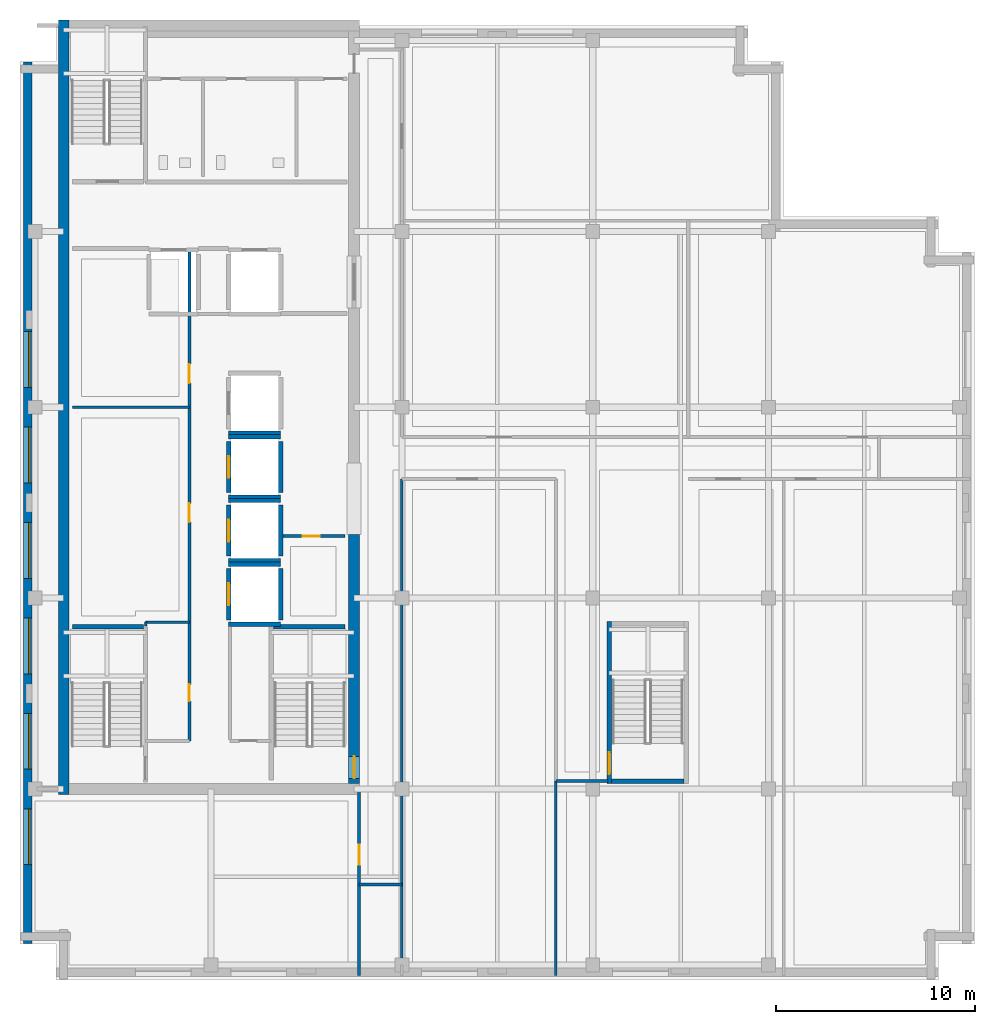
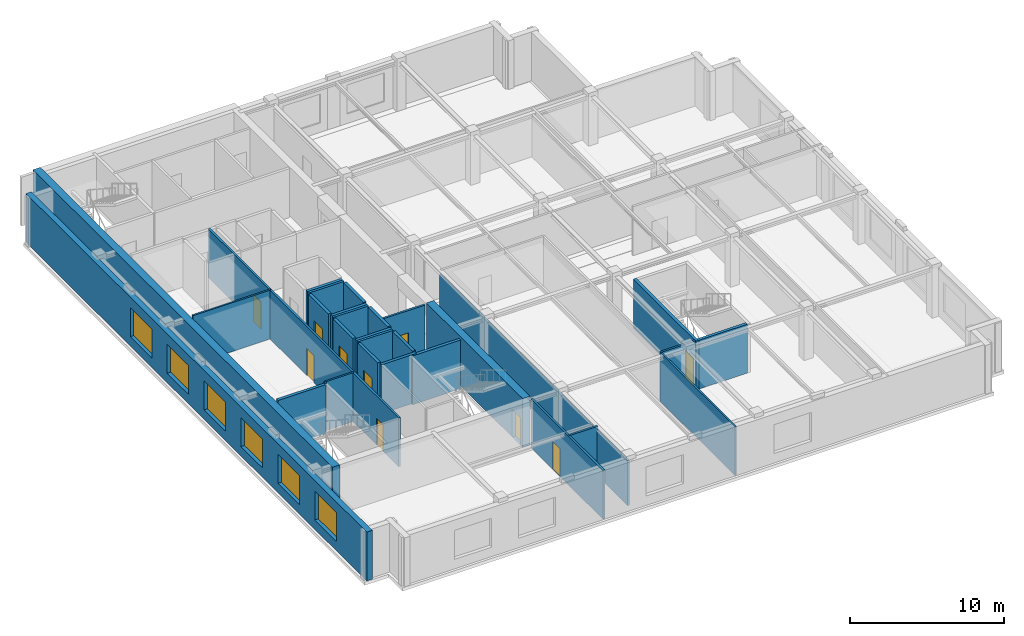
# One storey, part 3 of 10: 30 walls, 10 doors, 6 windows, 16 openings.
"""IFC4 building model written with IfcOpenShell, lengths in metres."""

from ifc_helpers import new_model, si_unit, direction, frame, frame_2d, origin, place, context, subcontext, project, spatial, rectangle, extrude, material, layer, layer_set, type_object, element, fill, save


model = new_model("IFC4")

# Units and contexts
model_context = context("Model", 3, precision=1e-05, world=origin(), true_north=direction((0.0, 1.0)))
body_context = subcontext(model_context, "Body", "Model", "MODEL_VIEW")
ifc_project = project(units=[si_unit("LENGTHUNIT", "METRE"), si_unit("AREAUNIT", "SQUARE_METRE"), si_unit("VOLUMEUNIT", "CUBIC_METRE"), si_unit("PLANEANGLEUNIT", "RADIAN"), si_unit("MASSUNIT", "GRAM", prefix="KILO")], contexts=[model_context])

# Site, building, storey
site_placement = place(None, origin())
site = spatial("IfcSite", under=ifc_project, at=site_placement, CompositionType="ELEMENT")
building_placement = place(site_placement, origin())
building = spatial("IfcBuilding", under=site, at=building_placement, Name="Norrvale University Quadrangle", CompositionType="ELEMENT")
storey_placement = place(building_placement, frame((0.0, 0.0, 303.800048828125)))
storey = spatial("IfcBuildingStorey", under=building, at=storey_placement, Name="L77", CompositionType="ELEMENT", Elevation=303.800048828125)

# Wall, openings, windows
ifc_material_1 = material(Name="Buff Norman Clay Brick Masonry", Category="masonry")
ifc_layer_1 = layer(ifc_material_1, 0.419921875, Name="Buff Norman Clay Brick Masonry")
ifc_layer_set_1 = layer_set([ifc_layer_1], Name="Buff Norman Clay Brick Masonry")
wall_type_1 = type_object("IfcWallType", Name="Wall Buff Brick 420", PredefinedType="SOLIDWALL", material=ifc_layer_set_1)
wall_1_placement = place(storey_placement, frame((0.389892578125, 46.159912109375, 0.0), z_axis=(0.0, 0.0, 1.0), x_axis=(0.0, -1.0, 0.0)))
wall_1 = element("IfcWall", 1, at=wall_1_placement, inside=storey, type_object=wall_type_1, Name="Exterior Brick Facade Wall L77-14.1", PredefinedType="SOLIDWALL", context=body_context, shape_type="SweptSolid", body=[
    extrude(rectangle(XDim=44.31982421875, YDim=0.419921875, at=frame_2d((22.159912109375, 0.0))), origin(), (0.0, 0.0, 1.0), 3.8798828125),
])
opening_1_placement = place(wall_1_placement, frame((13.56005859375, 0.0, 0.75)))
opening_1 = element("IfcOpeningElement", 2, at=opening_1_placement, cuts=wall_1, Name="Opening W05", PredefinedType="OPENING", context=body_context, shape_type="SweptSolid", body=[
    extrude(rectangle(XDim=2.800048828125, YDim=2.300048828125, at=frame_2d((1.39990234375, 1.14990234375))), frame((0.0, 0.221923828125, 0.0), z_axis=(0.0, -1.0, 0.0), x_axis=(1.0, 0.0, 0.0)), (0.0, 0.0, 1.0), 0.44384765625),
])
opening_2_placement = place(wall_1_placement, frame((18.360107421875, 0.0, 0.75)))
opening_2 = element("IfcOpeningElement", 3, at=opening_2_placement, cuts=wall_1, Name="Opening W05", PredefinedType="OPENING", context=body_context, shape_type="SweptSolid", body=[
    extrude(rectangle(XDim=2.800048828125, YDim=2.300048828125, at=frame_2d((1.39990234375, 1.14990234375))), frame((0.0, 0.221923828125, 0.0), z_axis=(0.0, -1.0, 0.0), x_axis=(1.0, 0.0, 0.0)), (0.0, 0.0, 1.0), 0.44384765625),
])
opening_3_placement = place(wall_1_placement, frame((23.159912109375, 0.0, 0.75)))
opening_3 = element("IfcOpeningElement", 4, at=opening_3_placement, cuts=wall_1, Name="Opening W05", PredefinedType="OPENING", context=body_context, shape_type="SweptSolid", body=[
    extrude(rectangle(XDim=2.800048828125, YDim=2.300048828125, at=frame_2d((1.39990234375, 1.14990234375))), frame((0.0, 0.221923828125, 0.0), z_axis=(0.0, -1.0, 0.0), x_axis=(1.0, 0.0, 0.0)), (0.0, 0.0, 1.0), 0.44384765625),
])
opening_4_placement = place(wall_1_placement, frame((27.9599609375, 0.0, 0.75)))
opening_4 = element("IfcOpeningElement", 5, at=opening_4_placement, cuts=wall_1, Name="Opening W05", PredefinedType="OPENING", context=body_context, shape_type="SweptSolid", body=[
    extrude(rectangle(XDim=2.800048828125, YDim=2.300048828125, at=frame_2d((1.39990234375, 1.14990234375))), frame((0.0, 0.221923828125, 0.0), z_axis=(0.0, -1.0, 0.0), x_axis=(1.0, 0.0, 0.0)), (0.0, 0.0, 1.0), 0.44384765625),
])
opening_5_placement = place(wall_1_placement, frame((32.760009765625, 0.0, 0.75)))
opening_5 = element("IfcOpeningElement", 6, at=opening_5_placement, cuts=wall_1, Name="Opening W05", PredefinedType="OPENING", context=body_context, shape_type="SweptSolid", body=[
    extrude(rectangle(XDim=2.800048828125, YDim=2.300048828125, at=frame_2d((1.39990234375, 1.14990234375))), frame((0.0, 0.221923828125, 0.0), z_axis=(0.0, -1.0, 0.0), x_axis=(1.0, 0.0, 0.0)), (0.0, 0.0, 1.0), 0.44384765625),
])
opening_6_placement = place(wall_1_placement, frame((37.56005859375, 0.0, 0.75)))
opening_6 = element("IfcOpeningElement", 7, at=opening_6_placement, cuts=wall_1, Name="Opening W05", PredefinedType="OPENING", context=body_context, shape_type="SweptSolid", body=[
    extrude(rectangle(XDim=2.800048828125, YDim=2.300048828125, at=frame_2d((1.39990234375, 1.14990234375))), frame((0.0, 0.221923828125, 0.0), z_axis=(0.0, -1.0, 0.0), x_axis=(1.0, 0.0, 0.0)), (0.0, 0.0, 1.0), 0.44384765625),
])
ifc_material_2 = material(Name="Bird-Friendly Fritted Triple Glazing", Category="glass")
window_type = type_object("IfcWindowType", Name="Window Podium 2800x2800", PartitioningType="TRIPLE_PANEL_VERTICAL", PredefinedType="WINDOW", material=ifc_material_2)
window_1_placement = place(opening_1_placement, origin())
window_1 = element("IfcWindow", 8, at=window_1_placement, inside=storey, type_object=window_type, Name="Window Podium 2800x2800 WIN-L77-E14-1-01", OverallHeight=2.300048828125, OverallWidth=2.800048828125, PartitioningType="TRIPLE_PANEL_VERTICAL", PredefinedType="WINDOW", context=body_context, shape_type="SweptSolid", body=[
    extrude(rectangle(XDim=2.800048828125, YDim=2.300048828125, at=frame_2d((1.39990234375, 1.14990234375))), frame((0.0, 0.110107421875, 0.0), z_axis=(0.0, -1.0, 0.0), x_axis=(1.0, 0.0, 0.0)), (0.0, 0.0, 1.0), 0.06005859375),
])
fill(opening_1, window_1)
window_2_placement = place(opening_2_placement, origin())
window_2 = element("IfcWindow", 9, at=window_2_placement, inside=storey, type_object=window_type, Name="Window Podium 2800x2800 WIN-L77-E14-1-02", OverallHeight=2.300048828125, OverallWidth=2.800048828125, PartitioningType="TRIPLE_PANEL_VERTICAL", PredefinedType="WINDOW", context=body_context, shape_type="SweptSolid", body=[
    extrude(rectangle(XDim=2.800048828125, YDim=2.300048828125, at=frame_2d((1.39990234375, 1.14990234375))), frame((0.0, 0.110107421875, 0.0), z_axis=(0.0, -1.0, 0.0), x_axis=(1.0, 0.0, 0.0)), (0.0, 0.0, 1.0), 0.06005859375),
])
fill(opening_2, window_2)
window_3_placement = place(opening_3_placement, origin())
window_3 = element("IfcWindow", 10, at=window_3_placement, inside=storey, type_object=window_type, Name="Window Podium 2800x2800 WIN-L77-E14-1-03", OverallHeight=2.300048828125, OverallWidth=2.800048828125, PartitioningType="TRIPLE_PANEL_VERTICAL", PredefinedType="WINDOW", context=body_context, shape_type="SweptSolid", body=[
    extrude(rectangle(XDim=2.800048828125, YDim=2.300048828125, at=frame_2d((1.39990234375, 1.14990234375))), frame((0.0, 0.110107421875, 0.0), z_axis=(0.0, -1.0, 0.0), x_axis=(1.0, 0.0, 0.0)), (0.0, 0.0, 1.0), 0.06005859375),
])
fill(opening_3, window_3)
window_4_placement = place(opening_4_placement, origin())
window_4 = element("IfcWindow", 11, at=window_4_placement, inside=storey, type_object=window_type, Name="Window Podium 2800x2800 WIN-L77-E14-1-04", OverallHeight=2.300048828125, OverallWidth=2.800048828125, PartitioningType="TRIPLE_PANEL_VERTICAL", PredefinedType="WINDOW", context=body_context, shape_type="SweptSolid", body=[
    extrude(rectangle(XDim=2.800048828125, YDim=2.300048828125, at=frame_2d((1.39990234375, 1.14990234375))), frame((0.0, 0.110107421875, 0.0), z_axis=(0.0, -1.0, 0.0), x_axis=(1.0, 0.0, 0.0)), (0.0, 0.0, 1.0), 0.06005859375),
])
fill(opening_4, window_4)
window_5_placement = place(opening_5_placement, origin())
window_5 = element("IfcWindow", 12, at=window_5_placement, inside=storey, type_object=window_type, Name="Window Podium 2800x2800 WIN-L77-E14-1-05", OverallHeight=2.300048828125, OverallWidth=2.800048828125, PartitioningType="TRIPLE_PANEL_VERTICAL", PredefinedType="WINDOW", context=body_context, shape_type="SweptSolid", body=[
    extrude(rectangle(XDim=2.800048828125, YDim=2.300048828125, at=frame_2d((1.39990234375, 1.14990234375))), frame((0.0, 0.110107421875, 0.0), z_axis=(0.0, -1.0, 0.0), x_axis=(1.0, 0.0, 0.0)), (0.0, 0.0, 1.0), 0.06005859375),
])
fill(opening_5, window_5)
window_6_placement = place(opening_6_placement, origin())
window_6 = element("IfcWindow", 13, at=window_6_placement, inside=storey, type_object=window_type, Name="Window Podium 2800x2800 WIN-L77-E14-1-06", OverallHeight=2.300048828125, OverallWidth=2.800048828125, PartitioningType="TRIPLE_PANEL_VERTICAL", PredefinedType="WINDOW", context=body_context, shape_type="SweptSolid", body=[
    extrude(rectangle(XDim=2.800048828125, YDim=2.300048828125, at=frame_2d((1.39990234375, 1.14990234375))), frame((0.0, 0.110107421875, 0.0), z_axis=(0.0, -1.0, 0.0), x_axis=(1.0, 0.0, 0.0)), (0.0, 0.0, 1.0), 0.06005859375),
])
fill(opening_6, window_6)

# Wall
ifc_material_3 = material(Name="Concrete C60/75", Category="concrete")
ifc_layer_2 = layer(ifc_material_3, 0.550048828125, Name="Concrete C60/75")
ifc_layer_set_2 = layer_set([ifc_layer_2], Name="Concrete C60/75")
wall_type_2 = type_object("IfcWallType", Name="Wall Core 550", PredefinedType="SHEAR", material=ifc_layer_set_2)
wall_2_placement = place(storey_placement, frame((2.199951171875, 9.324951171875, 0.0), z_axis=(0.0, 0.0, 1.0), x_axis=(0.0, 1.0, 0.0)))
element("IfcWall", 14, at=wall_2_placement, inside=storey, type_object=wall_type_2, Name="Tower Core Shear Wall L77-W", PredefinedType="SHEAR", context=body_context, shape_type="SweptSolid", body=[
    extrude(rectangle(XDim=38.949951171875, YDim=0.550048828125, at=frame_2d((19.47509765625, 0.0))), origin(), (0.0, 0.0, 1.0), 3.8798828125),
])

# Wall, opening, door
wall_3_placement = place(storey_placement, frame((16.800048828125, 9.875, 0.0), z_axis=(0.0, 0.0, 1.0), x_axis=(0.0, 1.0, 0.0)))
wall_3 = element("IfcWall", 15, at=wall_3_placement, inside=storey, type_object=wall_type_2, Name="Tower Core Shear Wall L77-E1", PredefinedType="SHEAR", context=body_context, shape_type="SweptSolid", body=[
    extrude(rectangle(XDim=12.52490234375, YDim=0.550048828125, at=frame_2d((6.262451171875, 0.0))), origin(), (0.0, 0.0, 1.0), 3.8798828125),
])
opening_7_placement = place(wall_3_placement, frame((0.264892578125, 0.0, 0.0)))
opening_7 = element("IfcOpeningElement", 16, at=opening_7_placement, cuts=wall_3, Name="Opening D02", PredefinedType="OPENING", context=body_context, shape_type="SweptSolid", body=[
    extrude(rectangle(XDim=1.10009765625, YDim=2.199951171875, at=frame_2d((0.550048828125, 1.10009765625))), frame((0.0, 0.287109375, 0.0), z_axis=(0.0, -1.0, 0.0), x_axis=(1.0, 0.0, 0.0)), (0.0, 0.0, 1.0), 0.573974609375),
])
ifc_material_4 = material(Name="Hollow Steel 350W Fire Door", Category="steel")
door_type_1 = type_object("IfcDoorType", Name="Door Stair Exit 1100x2200", OperationType="NOTDEFINED", PredefinedType="DOOR", material=ifc_material_4)
door_1_placement = place(opening_7_placement, origin())
door_1 = element("IfcDoor", 17, at=door_1_placement, inside=storey, type_object=door_type_1, Name="Door Stair Exit 1100x2200 DR-L77-ST03", OperationType="SINGLE_SWING_LEFT", OverallHeight=2.199951171875, OverallWidth=1.10009765625, PredefinedType="DOOR", context=body_context, shape_type="SweptSolid", body=[
    extrude(rectangle(XDim=1.10009765625, YDim=2.199951171875, at=frame_2d((0.550048828125, 1.10009765625))), frame((0.0, 0.02490234375, 0.0), z_axis=(0.0, -1.0, 0.0), x_axis=(1.0, 0.0, 0.0)), (0.0, 0.0, 1.0), 0.050048828125),
])
fill(opening_7, door_1)

# Walls
ifc_material_5 = material(Name="Standard Academic Gypsum Partition")
ifc_layer_3 = layer(ifc_material_5, 0.125, Name="Standard Academic Gypsum Partition")
ifc_layer_set_3 = layer_set([ifc_layer_3], Name="Standard Academic Gypsum Partition")
wall_type_3 = type_object("IfcWallType", Name="Wall Gypsum Academic 125", PredefinedType="PARTITIONING", material=ifc_layer_set_3)
wall_4_placement = place(storey_placement, frame((6.320068359375, 17.800048828125, 0.0), z_axis=(0.0, 0.0, 1.0), x_axis=(0.0, 1.0, 0.0)))
element("IfcWall", 18, at=wall_4_placement, inside=storey, type_object=wall_type_3, Name="Interior Partition WL-L77-REC-L1", PredefinedType="PARTITIONING", context=body_context, shape_type="SweptSolid", body=[
    extrude(rectangle(XDim=0.199951171875, YDim=0.125, at=frame_2d((0.10009765625, 0.0))), origin(), (0.0, 0.0, 1.0), 3.8798828125),
])
wall_5_placement = place(storey_placement, frame((6.320068359375, 18.0, 0.0), z_axis=(0.0, 0.0, 1.0), x_axis=(1.0, 0.0, 0.0)))
element("IfcWall", 19, at=wall_5_placement, inside=storey, type_object=wall_type_3, Name="Interior Partition WL-L77-REC-L2", PredefinedType="PARTITIONING", context=body_context, shape_type="SweptSolid", body=[
    extrude(rectangle(XDim=2.199951171875, YDim=0.125, at=frame_2d((1.10009765625, 0.0))), origin(), (0.0, 0.0, 1.0), 3.8798828125),
])
wall_6_placement = place(storey_placement, frame((2.64990234375, 28.800048828125, 0.0), z_axis=(0.0, 0.0, 1.0), x_axis=(1.0, 0.0, 0.0)))
element("IfcWall", 20, at=wall_6_placement, inside=storey, type_object=wall_type_3, Name="Interior Partition WL-L77-REC-M2", PredefinedType="PARTITIONING", context=body_context, shape_type="SweptSolid", body=[
    extrude(rectangle(XDim=5.8701171875, YDim=0.125, at=frame_2d((2.93505859375, 0.0))), origin(), (0.0, 0.0, 1.0), 3.8798828125),
])
wall_7_placement = place(storey_placement, frame((19.199951171875, 0.75, 0.0), z_axis=(0.0, 0.0, 1.0), x_axis=(0.0, 1.0, 0.0)))
element("IfcWall", 21, at=wall_7_placement, inside=storey, type_object=wall_type_3, Name="Interior Partition WL-L77-SE-W0-B2", PredefinedType="PARTITIONING", context=body_context, shape_type="SweptSolid", body=[
    extrude(rectangle(XDim=24.449951171875, YDim=0.125, at=frame_2d((12.22509765625, 0.0))), origin(), (0.0, 0.0, 1.0), 3.572021484375),
])
wall_8_placement = place(storey_placement, frame((26.949951171875, 0.219970703125, 0.0), z_axis=(0.0, 0.0, 1.0), x_axis=(0.0, 1.0, 0.0)))
element("IfcWall", 22, at=wall_8_placement, inside=storey, type_object=wall_type_3, Name="Interior Partition WL-L77-SEP1A", PredefinedType="PARTITIONING", context=body_context, shape_type="SweptSolid", body=[
    extrude(rectangle(XDim=9.780029296875, YDim=0.125, at=frame_2d((4.89013671875, 0.0))), origin(), (0.0, 0.0, 1.0), 3.8798828125),
])

# Wall, opening, door
ifc_material_6 = material(Name="Fire-Rated Gypsum Stud Partition")
ifc_layer_4 = layer(ifc_material_6, 0.14990234375, Name="Fire-Rated Gypsum Stud Partition")
ifc_layer_set_4 = layer_set([ifc_layer_4], Name="Fire-Rated Gypsum Stud Partition")
wall_type_4 = type_object("IfcWallType", Name="Wall Gypsum Corridor 150", PredefinedType="PARTITIONING", material=ifc_layer_set_4)
wall_9_placement = place(storey_placement, frame((13.22509765625, 22.320068359375, 0.0), z_axis=(0.0, 0.0, 1.0), x_axis=(1.0, 0.0, 0.0)))
wall_9 = element("IfcWall", 23, at=wall_9_placement, inside=storey, type_object=wall_type_4, Name="Interior Partition WL-L77-JAN-N", PredefinedType="PARTITIONING", context=body_context, shape_type="SweptSolid", body=[
    extrude(rectangle(XDim=3.119873046875, YDim=0.14990234375, at=frame_2d((1.56005859375, 0.0))), origin(), (0.0, 0.0, 1.0), 3.8798828125),
])
opening_8_placement = place(wall_9_placement, frame((1.0, 0.0, 0.0)))
opening_8 = element("IfcOpeningElement", 24, at=opening_8_placement, cuts=wall_9, Name="Opening D10", PredefinedType="OPENING", context=body_context, shape_type="SweptSolid", body=[
    extrude(rectangle(XDim=0.85009765625, YDim=2.10009765625, at=frame_2d((0.425048828125, 1.050048828125))), frame((0.0, 0.0869140625, 0.0), z_axis=(0.0, -1.0, 0.0), x_axis=(1.0, 0.0, 0.0)), (0.0, 0.0, 1.0), 0.173828125),
])
ifc_material_7 = material(Name="Hollow Steel 350W Riser Fire Door", Category="steel")
door_type_2 = type_object("IfcDoorType", Name="Door Riser 850x2100", OperationType="NOTDEFINED", PredefinedType="DOOR", material=ifc_material_7)
door_2_placement = place(opening_8_placement, origin())
door_2 = element("IfcDoor", 25, at=door_2_placement, inside=storey, type_object=door_type_2, Name="Door Riser 850x2100 DR-L77-JAN", OperationType="SINGLE_SWING_LEFT", OverallHeight=2.10009765625, OverallWidth=0.85009765625, PredefinedType="DOOR", context=body_context, shape_type="SweptSolid", body=[
    extrude(rectangle(XDim=0.85009765625, YDim=2.10009765625, at=frame_2d((0.425048828125, 1.050048828125))), frame((0.0, 0.02490234375, 0.0), z_axis=(0.0, -1.0, 0.0), x_axis=(1.0, 0.0, 0.0)), (0.0, 0.0, 1.0), 0.050048828125),
])
fill(opening_8, door_2)

# Wall, openings, doors
wall_10_placement = place(storey_placement, frame((8.52001953125, 12.02001953125, 0.0), z_axis=(0.0, 0.0, 1.0), x_axis=(0.0, 1.0, 0.0)))
wall_10 = element("IfcWall", 26, at=wall_10_placement, inside=storey, type_object=wall_type_4, Name="Interior Partition WL-L77-REC-E", PredefinedType="PARTITIONING", context=body_context, shape_type="SweptSolid", body=[
    extrude(rectangle(XDim=24.760009765625, YDim=0.14990234375, at=frame_2d((12.3798828125, 0.0))), origin(), (0.0, 0.0, 1.0), 3.8798828125),
])
opening_9_placement = place(wall_10_placement, frame((2.0, 0.0, 0.0)))
opening_9 = element("IfcOpeningElement", 27, at=opening_9_placement, cuts=wall_10, Name="Opening D10", PredefinedType="OPENING", context=body_context, shape_type="SweptSolid", body=[
    extrude(rectangle(XDim=0.85009765625, YDim=2.10009765625, at=frame_2d((0.425048828125, 1.050048828125))), frame((0.0, 0.0869140625, 0.0), z_axis=(0.0, -1.0, 0.0), x_axis=(1.0, 0.0, 0.0)), (0.0, 0.0, 1.0), 0.173828125),
])
opening_10_placement = place(wall_10_placement, frame((11.0, 0.0, 0.0)))
opening_10 = element("IfcOpeningElement", 28, at=opening_10_placement, cuts=wall_10, Name="Opening D07", PredefinedType="OPENING", context=body_context, shape_type="SweptSolid", body=[
    extrude(rectangle(XDim=0.949951171875, YDim=2.14990234375, at=frame_2d((0.47509765625, 1.074951171875))), frame((0.0, 0.0869140625, 0.0), z_axis=(0.0, -1.0, 0.0), x_axis=(1.0, 0.0, 0.0)), (0.0, 0.0, 1.0), 0.173828125),
])
opening_11_placement = place(wall_10_placement, frame((18.0, 0.0, 0.0)))
opening_11 = element("IfcOpeningElement", 29, at=opening_11_placement, cuts=wall_10, Name="Opening D07", PredefinedType="OPENING", context=body_context, shape_type="SweptSolid", body=[
    extrude(rectangle(XDim=0.949951171875, YDim=2.14990234375, at=frame_2d((0.47509765625, 1.074951171875))), frame((0.0, 0.0869140625, 0.0), z_axis=(0.0, -1.0, 0.0), x_axis=(1.0, 0.0, 0.0)), (0.0, 0.0, 1.0), 0.173828125),
])
ifc_material_8 = material(Name="Solid-Core Maple Door", Category="wood")
door_type_3 = type_object("IfcDoorType", Name="Door Office 950x2150", OperationType="NOTDEFINED", PredefinedType="DOOR", material=ifc_material_8)
door_3_placement = place(opening_10_placement, origin())
door_3 = element("IfcDoor", 30, at=door_3_placement, inside=storey, type_object=door_type_3, Name="Door Office 950x2150 DR-L77-REC2", OperationType="SINGLE_SWING_RIGHT", OverallHeight=2.14990234375, OverallWidth=0.949951171875, PredefinedType="DOOR", context=body_context, shape_type="SweptSolid", body=[
    extrude(rectangle(XDim=0.949951171875, YDim=2.14990234375, at=frame_2d((0.47509765625, 1.074951171875))), frame((0.0, 0.02490234375, 0.0), z_axis=(0.0, -1.0, 0.0), x_axis=(1.0, 0.0, 0.0)), (0.0, 0.0, 1.0), 0.050048828125),
])
fill(opening_10, door_3)
door_4_placement = place(opening_11_placement, origin())
door_4 = element("IfcDoor", 31, at=door_4_placement, inside=storey, type_object=door_type_3, Name="Door Office 950x2150 DR-L77-REC3", OperationType="SINGLE_SWING_LEFT", OverallHeight=2.14990234375, OverallWidth=0.949951171875, PredefinedType="DOOR", context=body_context, shape_type="SweptSolid", body=[
    extrude(rectangle(XDim=0.949951171875, YDim=2.14990234375, at=frame_2d((0.47509765625, 1.074951171875))), frame((0.0, 0.02490234375, 0.0), z_axis=(0.0, -1.0, 0.0), x_axis=(1.0, 0.0, 0.0)), (0.0, 0.0, 1.0), 0.050048828125),
])
fill(opening_11, door_4)
door_5_placement = place(opening_9_placement, origin())
door_5 = element("IfcDoor", 32, at=door_5_placement, inside=storey, type_object=door_type_2, Name="Door Riser 850x2100 DR-L77-REC1", OperationType="SINGLE_SWING_LEFT", OverallHeight=2.10009765625, OverallWidth=0.85009765625, PredefinedType="DOOR", context=body_context, shape_type="SweptSolid", body=[
    extrude(rectangle(XDim=0.85009765625, YDim=2.10009765625, at=frame_2d((0.425048828125, 1.050048828125))), frame((0.0, 0.02490234375, 0.0), z_axis=(0.0, -1.0, 0.0), x_axis=(1.0, 0.0, 0.0)), (0.0, 0.0, 1.0), 0.050048828125),
])
fill(opening_9, door_5)

# Wall
wall_11_placement = place(storey_placement, frame((17.050048828125, 4.800048828125, 0.0), z_axis=(0.0, 0.0, 1.0), x_axis=(1.0, 0.0, 0.0)))
element("IfcWall", 33, at=wall_11_placement, inside=storey, type_object=wall_type_4, Name="Interior Partition WL-L77-CSP-S", PredefinedType="PARTITIONING", context=body_context, shape_type="SweptSolid", body=[
    extrude(rectangle(XDim=2.14990234375, YDim=0.14990234375, at=frame_2d((1.074951171875, 0.0))), origin(), (0.0, 0.0, 1.0), 3.8798828125),
])

# Wall, opening, door
wall_12_placement = place(storey_placement, frame((17.050048828125, 0.219970703125, 0.0), z_axis=(0.0, 0.0, 1.0), x_axis=(0.0, 1.0, 0.0)))
wall_12 = element("IfcWall", 34, at=wall_12_placement, inside=storey, type_object=wall_type_4, Name="Interior Partition WL-L77-SW-E", PredefinedType="PARTITIONING", context=body_context, shape_type="SweptSolid", body=[
    extrude(rectangle(XDim=9.380126953125, YDim=0.14990234375, at=frame_2d((4.68994140625, 0.0))), origin(), (0.0, 0.0, 1.0), 3.8798828125),
])
opening_12_placement = place(wall_12_placement, frame((5.580078125, 0.0, 0.0)))
opening_12 = element("IfcOpeningElement", 35, at=opening_12_placement, cuts=wall_12, Name="Opening D04", PredefinedType="OPENING", context=body_context, shape_type="SweptSolid", body=[
    extrude(rectangle(XDim=1.0, YDim=2.199951171875, at=frame_2d((0.5, 1.10009765625))), frame((0.0, 0.0869140625, 0.0), z_axis=(0.0, -1.0, 0.0), x_axis=(1.0, 0.0, 0.0)), (0.0, 0.0, 1.0), 0.173828125),
])
ifc_material_9 = material(Name="Solid-Core Oak Fire Door", Category="wood")
door_type_4 = type_object("IfcDoorType", Name="Door Corridor 1000x2200", OperationType="NOTDEFINED", PredefinedType="DOOR", material=ifc_material_9)
door_6_placement = place(opening_12_placement, origin())
door_6 = element("IfcDoor", 36, at=door_6_placement, inside=storey, type_object=door_type_4, Name="Door Corridor 1000x2200 DR-L77-SW1", OperationType="SINGLE_SWING_LEFT", OverallHeight=2.199951171875, OverallWidth=1.0, PredefinedType="DOOR", context=body_context, shape_type="SweptSolid", body=[
    extrude(rectangle(XDim=1.0, YDim=2.199951171875, at=frame_2d((0.5, 1.10009765625))), frame((0.0, 0.02490234375, 0.0), z_axis=(0.0, -1.0, 0.0), x_axis=(1.0, 0.0, 0.0)), (0.0, 0.0, 1.0), 0.050048828125),
])
fill(opening_12, door_6)

# Walls
wall_13_placement = place(storey_placement, frame((26.949951171875, 10.0, 0.0), z_axis=(0.0, 0.0, 1.0), x_axis=(1.0, 0.0, 0.0)))
element("IfcWall", 37, at=wall_13_placement, inside=storey, type_object=wall_type_4, Name="Interior Partition WL-L77-SEP1C", PredefinedType="PARTITIONING", context=body_context, shape_type="SweptSolid", body=[
    extrude(rectangle(XDim=2.630126953125, YDim=0.14990234375, at=frame_2d((1.31494140625, 0.0))), origin(), (0.0, 0.0, 1.0), 3.8798828125),
])
ifc_material_10 = material(Name="Concrete Blockwork 20 MPa Fire Shaft", Category="masonry")
ifc_layer_5 = layer(ifc_material_10, 0.219970703125, Name="Concrete Blockwork 20 MPa Fire Shaft")
ifc_layer_set_5 = layer_set([ifc_layer_5], Name="Concrete Blockwork 20 MPa Fire Shaft")
wall_type_5 = type_object("IfcWallType", Name="Wall Shaft 220", PredefinedType="SOLIDWALL", material=ifc_layer_set_5)
wall_14_placement = place(storey_placement, frame((2.64990234375, 17.760009765625, 0.0), z_axis=(0.0, 0.0, 1.0), x_axis=(1.0, 0.0, 0.0)))
element("IfcWall", 38, at=wall_14_placement, inside=storey, type_object=wall_type_5, Name="Stair ST-01 North Shaft Wall L77", PredefinedType="SOLIDWALL", context=body_context, shape_type="SweptSolid", body=[
    extrude(rectangle(XDim=3.550048828125, YDim=0.219970703125, at=frame_2d((1.77490234375, 0.0))), origin(), (0.0, 0.0, 1.0), 3.8798828125),
])
wall_15_placement = place(storey_placement, frame((12.75, 17.760009765625, 0.0), z_axis=(0.0, 0.0, 1.0), x_axis=(1.0, 0.0, 0.0)))
element("IfcWall", 39, at=wall_15_placement, inside=storey, type_object=wall_type_5, Name="Stair ST-03 North Shaft Wall L77", PredefinedType="SOLIDWALL", context=body_context, shape_type="SweptSolid", body=[
    extrude(rectangle(XDim=3.60009765625, YDim=0.219970703125, at=frame_2d((1.800048828125, 0.0))), origin(), (0.0, 0.0, 1.0), 3.8798828125),
])
wall_16_placement = place(storey_placement, frame((29.75, 9.989990234375, 0.0), z_axis=(0.0, 0.0, 1.0), x_axis=(1.0, 0.0, 0.0)))
element("IfcWall", 40, at=wall_16_placement, inside=storey, type_object=wall_type_5, Name="Stair ST-04 South Shaft Wall L77", PredefinedType="SOLIDWALL", context=body_context, shape_type="SweptSolid", body=[
    extrude(rectangle(XDim=3.64990234375, YDim=0.219970703125, at=frame_2d((1.824951171875, 0.0))), origin(), (0.0, 0.0, 1.0), 3.8798828125),
])

# Wall, opening, door
wall_17_placement = place(storey_placement, frame((29.639892578125, 9.8798828125, 0.0), z_axis=(0.0, 0.0, 1.0), x_axis=(0.0, 1.0, 0.0)))
wall_17 = element("IfcWall", 41, at=wall_17_placement, inside=storey, type_object=wall_type_5, Name="Stair ST-04 West Shaft Wall L77", PredefinedType="SOLIDWALL", context=body_context, shape_type="SweptSolid", body=[
    extrude(rectangle(XDim=8.14013671875, YDim=0.219970703125, at=frame_2d((4.070068359375, 0.0))), origin(), (0.0, 0.0, 1.0), 3.8798828125),
])
opening_13_placement = place(wall_17_placement, frame((0.469970703125, 0.0, 0.0)))
opening_13 = element("IfcOpeningElement", 42, at=opening_13_placement, cuts=wall_17, Name="Opening D02", PredefinedType="OPENING", context=body_context, shape_type="SweptSolid", body=[
    extrude(rectangle(XDim=1.10009765625, YDim=2.199951171875, at=frame_2d((0.550048828125, 1.10009765625))), frame((0.0, 0.1220703125, 0.0), z_axis=(0.0, -1.0, 0.0), x_axis=(1.0, 0.0, 0.0)), (0.0, 0.0, 1.0), 0.243896484375),
])
door_7_placement = place(opening_13_placement, frame((1.10009765625, 0.0, 0.0), z_axis=(0.0, 0.0, 1.0), x_axis=(-1.0, 0.0, 0.0)))
door_7 = element("IfcDoor", 43, at=door_7_placement, inside=storey, type_object=door_type_1, Name="Door Stair Exit 1100x2200 DR-L77-ST04", OperationType="SINGLE_SWING_RIGHT", OverallHeight=2.199951171875, OverallWidth=1.10009765625, PredefinedType="DOOR", context=body_context, shape_type="SweptSolid", body=[
    extrude(rectangle(XDim=1.10009765625, YDim=2.199951171875, at=frame_2d((0.550048828125, 1.10009765625))), frame((0.0, 0.02490234375, 0.0), z_axis=(0.0, -1.0, 0.0), x_axis=(1.0, 0.0, 0.0)), (0.0, 0.0, 1.0), 0.050048828125),
])
fill(opening_13, door_7)

wall_18_placement = place(storey_placement, frame((10.489990234375, 18.110107421875, 0.0), z_axis=(0.0, 0.0, 1.0), x_axis=(0.0, 1.0, 0.0)))
wall_18 = element("IfcWall", 44, at=wall_18_placement, inside=storey, type_object=wall_type_5, Name="Hoistway PL-05 West Wall L77", PredefinedType="SOLIDWALL", context=body_context, shape_type="SweptSolid", body=[
    extrude(rectangle(XDim=2.579833984375, YDim=0.219970703125, at=frame_2d((1.2900390625, 0.0))), origin(), (0.0, 0.0, 1.0), 3.8798828125),
])
opening_14_placement = place(wall_18_placement, frame((0.739990234375, 0.0, 0.0)))
opening_14 = element("IfcOpeningElement", 45, at=opening_14_placement, cuts=wall_18, Name="Opening LD1", PredefinedType="OPENING", context=body_context, shape_type="SweptSolid", body=[
    extrude(rectangle(XDim=1.10009765625, YDim=2.199951171875, at=frame_2d((0.550048828125, 1.10009765625))), frame((0.0, 0.1220703125, 0.0), z_axis=(0.0, -1.0, 0.0), x_axis=(1.0, 0.0, 0.0)), (0.0, 0.0, 1.0), 0.243896484375),
])
ifc_material_11 = material(Name="Stainless Steel 316L Lift Landing Door", Category="steel")
door_type_5 = type_object("IfcDoorType", Name="Door Lift Landing 1100x2200", OperationType="DOUBLE_DOOR_SLIDING", PredefinedType="DOOR", material=ifc_material_11)
door_8_placement = place(opening_14_placement, origin())
door_8 = element("IfcDoor", 46, at=door_8_placement, inside=storey, type_object=door_type_5, Name="Elevator Landing Door DR-L77-PL-05", OperationType="DOUBLE_DOOR_SLIDING", OverallHeight=2.199951171875, OverallWidth=1.10009765625, PredefinedType="DOOR", context=body_context, shape_type="SweptSolid", body=[
    extrude(rectangle(XDim=1.10009765625, YDim=2.199951171875, at=frame_2d((0.550048828125, 1.10009765625))), frame((0.0, 0.02490234375, 0.0), z_axis=(0.0, -1.0, 0.0), x_axis=(1.0, 0.0, 0.0)), (0.0, 0.0, 1.0), 0.050048828125),
])
fill(opening_14, door_8)

# Walls
wall_19_placement = place(storey_placement, frame((13.110107421875, 18.110107421875, 0.0), z_axis=(0.0, 0.0, 1.0), x_axis=(0.0, 1.0, 0.0)))
element("IfcWall", 47, at=wall_19_placement, inside=storey, type_object=wall_type_5, Name="Hoistway PL-05 East Wall L77", PredefinedType="SOLIDWALL", context=body_context, shape_type="SweptSolid", body=[
    extrude(rectangle(XDim=2.579833984375, YDim=0.219970703125, at=frame_2d((1.2900390625, 0.0))), origin(), (0.0, 0.0, 1.0), 3.8798828125),
])
for number, where, z_axis, x_axis, name in (
    (48, (10.489990234375, 17.889892578125, 0.0), (0.0, 0.0, 1.0), (1.0, 0.0, 0.0), "Hoistway PL-05 South Wall L77"),
    (49, (10.489990234375, 20.909912109375, 0.0), (0.0, 0.0, 1.0), (1.0, 0.0, 0.0), "Hoistway PL-05 North Wall L77"),
):
    element("IfcWall", number, at=place(storey_placement, frame(where, z_axis=z_axis, x_axis=x_axis)), inside=storey, type_object=wall_type_5, Name=name, PredefinedType="SOLIDWALL", context=body_context, shape_type="SweptSolid", body=[
        extrude(rectangle(XDim=2.6201171875, YDim=0.219970703125, at=frame_2d((1.31005859375, 0.0))), origin(), (0.0, 0.0, 1.0), 3.8798828125),
    ])

# Wall, opening, door
wall_20_placement = place(storey_placement, frame((10.489990234375, 21.31005859375, 0.0), z_axis=(0.0, 0.0, 1.0), x_axis=(0.0, 1.0, 0.0)))
wall_20 = element("IfcWall", 50, at=wall_20_placement, inside=storey, type_object=wall_type_5, Name="Hoistway PL-06 West Wall L77", PredefinedType="SOLIDWALL", context=body_context, shape_type="SweptSolid", body=[
    extrude(rectangle(XDim=2.579833984375, YDim=0.219970703125, at=frame_2d((1.2900390625, 0.0))), origin(), (0.0, 0.0, 1.0), 3.8798828125),
])
opening_15_placement = place(wall_20_placement, frame((0.739990234375, 0.0, 0.0)))
opening_15 = element("IfcOpeningElement", 51, at=opening_15_placement, cuts=wall_20, Name="Opening LD1", PredefinedType="OPENING", context=body_context, shape_type="SweptSolid", body=[
    extrude(rectangle(XDim=1.10009765625, YDim=2.199951171875, at=frame_2d((0.550048828125, 1.10009765625))), frame((0.0, 0.1220703125, 0.0), z_axis=(0.0, -1.0, 0.0), x_axis=(1.0, 0.0, 0.0)), (0.0, 0.0, 1.0), 0.243896484375),
])
door_9_placement = place(opening_15_placement, origin())
door_9 = element("IfcDoor", 52, at=door_9_placement, inside=storey, type_object=door_type_5, Name="Elevator Landing Door DR-L77-PL-06", OperationType="DOUBLE_DOOR_SLIDING", OverallHeight=2.199951171875, OverallWidth=1.10009765625, PredefinedType="DOOR", context=body_context, shape_type="SweptSolid", body=[
    extrude(rectangle(XDim=1.10009765625, YDim=2.199951171875, at=frame_2d((0.550048828125, 1.10009765625))), frame((0.0, 0.02490234375, 0.0), z_axis=(0.0, -1.0, 0.0), x_axis=(1.0, 0.0, 0.0)), (0.0, 0.0, 1.0), 0.050048828125),
])
fill(opening_15, door_9)

# Walls
wall_21_placement = place(storey_placement, frame((13.110107421875, 21.31005859375, 0.0), z_axis=(0.0, 0.0, 1.0), x_axis=(0.0, 1.0, 0.0)))
element("IfcWall", 53, at=wall_21_placement, inside=storey, type_object=wall_type_5, Name="Hoistway PL-06 East Wall L77", PredefinedType="SOLIDWALL", context=body_context, shape_type="SweptSolid", body=[
    extrude(rectangle(XDim=2.579833984375, YDim=0.219970703125, at=frame_2d((1.2900390625, 0.0))), origin(), (0.0, 0.0, 1.0), 3.8798828125),
])
for number, where, z_axis, x_axis, name in (
    (54, (10.489990234375, 21.090087890625, 0.0), (0.0, 0.0, 1.0), (1.0, 0.0, 0.0), "Hoistway PL-06 South Wall L77"),
    (55, (10.489990234375, 24.110107421875, 0.0), (0.0, 0.0, 1.0), (1.0, 0.0, 0.0), "Hoistway PL-06 North Wall L77"),
):
    element("IfcWall", number, at=place(storey_placement, frame(where, z_axis=z_axis, x_axis=x_axis)), inside=storey, type_object=wall_type_5, Name=name, PredefinedType="SOLIDWALL", context=body_context, shape_type="SweptSolid", body=[
        extrude(rectangle(XDim=2.6201171875, YDim=0.219970703125, at=frame_2d((1.31005859375, 0.0))), origin(), (0.0, 0.0, 1.0), 3.8798828125),
    ])

# Wall, opening, door
wall_22_placement = place(storey_placement, frame((10.489990234375, 24.510009765625, 0.0), z_axis=(0.0, 0.0, 1.0), x_axis=(0.0, 1.0, 0.0)))
wall_22 = element("IfcWall", 56, at=wall_22_placement, inside=storey, type_object=wall_type_5, Name="Hoistway PL-07 West Wall L77", PredefinedType="SOLIDWALL", context=body_context, shape_type="SweptSolid", body=[
    extrude(rectangle(XDim=2.580078125, YDim=0.219970703125, at=frame_2d((1.2900390625, 0.0))), origin(), (0.0, 0.0, 1.0), 3.8798828125),
])
opening_16_placement = place(wall_22_placement, frame((0.739990234375, 0.0, 0.0)))
opening_16 = element("IfcOpeningElement", 57, at=opening_16_placement, cuts=wall_22, Name="Opening LD1", PredefinedType="OPENING", context=body_context, shape_type="SweptSolid", body=[
    extrude(rectangle(XDim=1.10009765625, YDim=2.199951171875, at=frame_2d((0.550048828125, 1.10009765625))), frame((0.0, 0.1220703125, 0.0), z_axis=(0.0, -1.0, 0.0), x_axis=(1.0, 0.0, 0.0)), (0.0, 0.0, 1.0), 0.243896484375),
])
door_10_placement = place(opening_16_placement, origin())
door_10 = element("IfcDoor", 58, at=door_10_placement, inside=storey, type_object=door_type_5, Name="Elevator Landing Door DR-L77-PL-07", OperationType="DOUBLE_DOOR_SLIDING", OverallHeight=2.199951171875, OverallWidth=1.10009765625, PredefinedType="DOOR", context=body_context, shape_type="SweptSolid", body=[
    extrude(rectangle(XDim=1.10009765625, YDim=2.199951171875, at=frame_2d((0.550048828125, 1.10009765625))), frame((0.0, 0.02490234375, 0.0), z_axis=(0.0, -1.0, 0.0), x_axis=(1.0, 0.0, 0.0)), (0.0, 0.0, 1.0), 0.050048828125),
])
fill(opening_16, door_10)

# Walls
wall_23_placement = place(storey_placement, frame((13.110107421875, 24.510009765625, 0.0), z_axis=(0.0, 0.0, 1.0), x_axis=(0.0, 1.0, 0.0)))
element("IfcWall", 59, at=wall_23_placement, inside=storey, type_object=wall_type_5, Name="Hoistway PL-07 East Wall L77", PredefinedType="SOLIDWALL", context=body_context, shape_type="SweptSolid", body=[
    extrude(rectangle(XDim=2.580078125, YDim=0.219970703125, at=frame_2d((1.2900390625, 0.0))), origin(), (0.0, 0.0, 1.0), 3.8798828125),
])
for number, where, z_axis, x_axis, name in (
    (60, (10.489990234375, 24.2900390625, 0.0), (0.0, 0.0, 1.0), (1.0, 0.0, 0.0), "Hoistway PL-07 South Wall L77"),
    (61, (10.489990234375, 27.31005859375, 0.0), (0.0, 0.0, 1.0), (1.0, 0.0, 0.0), "Hoistway PL-07 North Wall L77"),
    (62, (10.489990234375, 27.489990234375, 0.0), (0.0, 0.0, 1.0), (1.0, 0.0, 0.0), "Hoistway PL-08 South Wall L77"),
):
    element("IfcWall", number, at=place(storey_placement, frame(where, z_axis=z_axis, x_axis=x_axis)), inside=storey, type_object=wall_type_5, Name=name, PredefinedType="SOLIDWALL", context=body_context, shape_type="SweptSolid", body=[
        extrude(rectangle(XDim=2.6201171875, YDim=0.219970703125, at=frame_2d((1.31005859375, 0.0))), origin(), (0.0, 0.0, 1.0), 3.8798828125),
    ])

save(model, "model.ifc")
